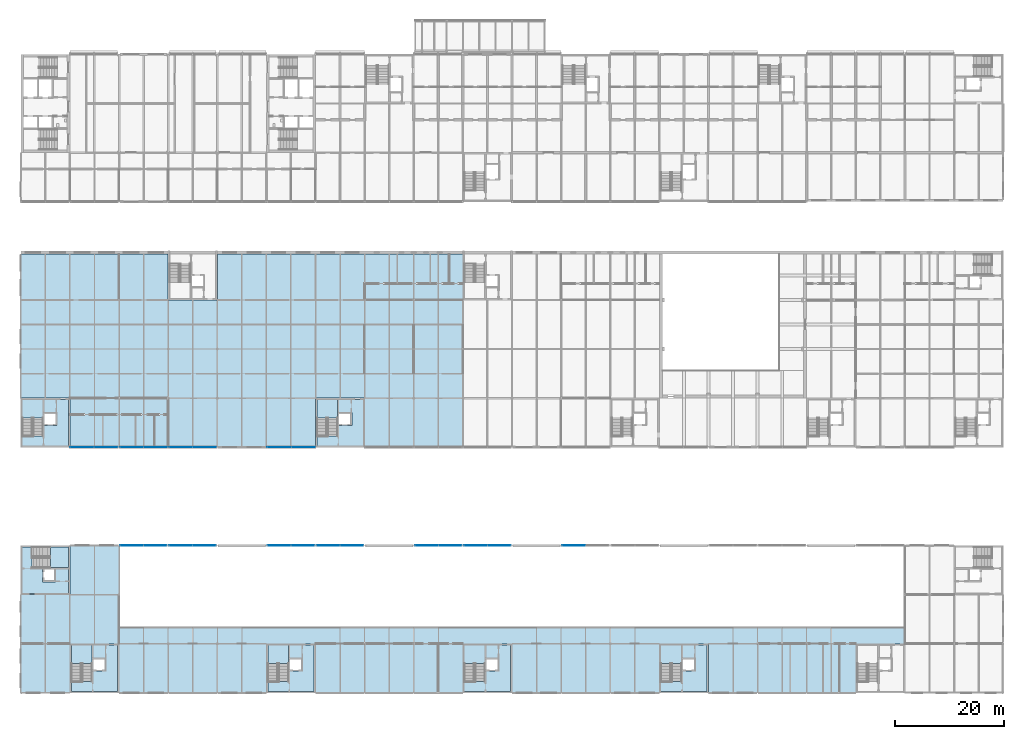
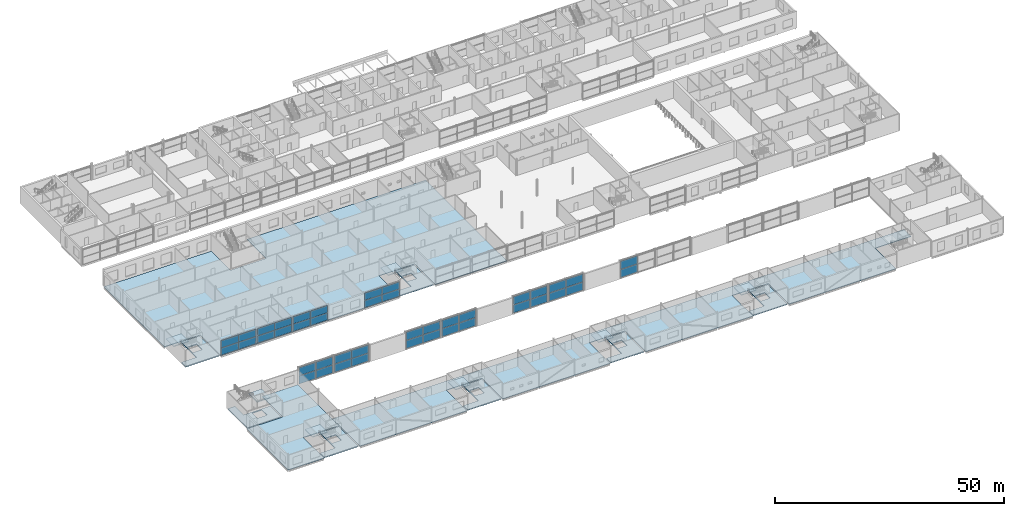
# One storey, part 60 of 97: 42 plates, 17 slabs, 18 elements without a shape of their own.
"""IFC4 building model written with IfcOpenShell, lengths in metres."""

from ifc_helpers import new_model, si_unit, direction, frame, origin, origin_2d, place, context, subcontext, project, spatial, polyline, rectangle, outline, extrude, material, layer, layer_set, type_object, element, aggregate, save


model = new_model("IFC4")

# Units and contexts
model_context = context("Model", 3, precision=1e-05, world=origin(), true_north=direction((0.0, 1.0)))
body_context = subcontext(model_context, "Body", "Model", "MODEL_VIEW")
ifc_project = project(units=[si_unit("LENGTHUNIT", "METRE"), si_unit("AREAUNIT", "SQUARE_METRE"), si_unit("VOLUMEUNIT", "CUBIC_METRE"), si_unit("PLANEANGLEUNIT", "RADIAN"), si_unit("MASSUNIT", "GRAM", prefix="KILO")], contexts=[model_context])

# Site, building, storey
site_placement = place(None, origin())
site = spatial("IfcSite", under=ifc_project, at=site_placement, CompositionType="ELEMENT")
building_placement = place(site_placement, origin())
building = spatial("IfcBuilding", under=site, at=building_placement, Name="Corbel Yard City Hall", CompositionType="ELEMENT")
storey_placement = place(building_placement, frame((0.0, 0.0, 6.0)))
storey = spatial("IfcBuildingStorey", under=building, at=storey_placement, Name="L01", CompositionType="ELEMENT", Elevation=6.0)

# Slabs
ifc_material_1 = material(Name="Concrete N40 (40 MPa)", Category="concrete")
ifc_layer_1 = layer(ifc_material_1, 0.25)
ifc_layer_set_1 = layer_set([ifc_layer_1], Name="Concrete N40 (40 MPa)")
slab_type_1 = type_object("IfcSlabType", Name="CF1", PredefinedType="FLOOR", material=ifc_layer_set_1)
slab_1_placement = place(storey_placement, frame((0.0, 0.0, -0.25)))
element("IfcSlab", 1, at=slab_1_placement, inside=storey, type_object=slab_type_1, Name="Core floor slab", PredefinedType="FLOOR", context=body_context, shape_type="SweptSolid", body=[
    extrude(outline(polyline([(17.75, 8.75), (13.050048828125, 8.75), (13.050048828125, 2.051025390625), (9.25, 2.051025390625), (9.25, 0.25), (17.75, 0.25), (17.75, 8.75)]), holes=[polyline([(15.64990234375, 4.0), (15.64990234375, 6.39990234375), (13.300048828125, 6.39990234375), (13.300048828125, 4.0), (15.64990234375, 4.0)])]), origin(), (0.0, 0.0, 1.0), 0.25),
])
slab_2_placement = place(storey_placement, frame((0.0, 0.0, -0.25)))
element("IfcSlab", 2, at=slab_2_placement, inside=storey, type_object=slab_type_1, Name="Core floor slab", PredefinedType="FLOOR", context=body_context, shape_type="SweptSolid", body=[
    extrude(outline(polyline([(53.75, 8.75), (49.050048828125, 8.75), (49.050048828125, 2.051025390625), (45.25, 2.051025390625), (45.25, 0.25), (53.75, 0.25), (53.75, 8.75)]), holes=[polyline([(51.64990234375, 4.0), (51.64990234375, 6.39990234375), (49.300048828125, 6.39990234375), (49.300048828125, 4.0), (51.64990234375, 4.0)])]), origin(), (0.0, 0.0, 1.0), 0.25),
])
slab_3_placement = place(storey_placement, frame((0.0, 0.0, -0.25)))
element("IfcSlab", 3, at=slab_3_placement, inside=storey, type_object=slab_type_1, Name="Core floor slab", PredefinedType="FLOOR", context=body_context, shape_type="SweptSolid", body=[
    extrude(outline(polyline([(89.75, 8.75), (85.050048828125, 8.75), (85.050048828125, 2.051025390625), (81.25, 2.051025390625), (81.25, 0.25), (89.75, 0.25), (89.75, 8.75)]), holes=[polyline([(87.64990234375, 4.0), (87.64990234375, 6.39990234375), (85.300048828125, 6.39990234375), (85.300048828125, 4.0), (87.64990234375, 4.0)])]), origin(), (0.0, 0.0, 1.0), 0.25),
])
slab_4_placement = place(storey_placement, frame((0.0, 0.0, -0.25)))
element("IfcSlab", 4, at=slab_4_placement, inside=storey, type_object=slab_type_1, Name="Core floor slab", PredefinedType="FLOOR", context=body_context, shape_type="SweptSolid", body=[
    extrude(outline(polyline([(125.75, 8.75), (121.050048828125, 8.75), (121.050048828125, 2.051025390625), (117.25, 2.051025390625), (117.25, 0.25), (125.75, 0.25), (125.75, 8.75)]), holes=[polyline([(123.64990234375, 4.0), (123.64990234375, 6.39990234375), (121.300048828125, 6.39990234375), (121.300048828125, 4.0), (123.64990234375, 4.0)])]), origin(), (0.0, 0.0, 1.0), 0.25),
])
slab_5_placement = place(storey_placement, frame((0.0, 0.0, -0.25)))
element("IfcSlab", 5, at=slab_5_placement, inside=storey, type_object=slab_type_1, Name="Core floor slab", PredefinedType="FLOOR", context=body_context, shape_type="SweptSolid", body=[
    extrude(outline(polyline([(8.75, 18.25), (8.75, 22.949951171875), (2.051025390625, 22.949951171875), (2.051025390625, 26.75), (0.25, 26.75), (0.25, 18.25), (8.75, 18.25)]), holes=[polyline([(6.39990234375, 20.35009765625), (6.39990234375, 22.699951171875), (4.0, 22.699951171875), (4.0, 20.35009765625), (6.39990234375, 20.35009765625)])]), origin(), (0.0, 0.0, 1.0), 0.25),
])
slab_6_placement = place(storey_placement, frame((0.0, 0.0, -0.25)))
element("IfcSlab", 6, at=slab_6_placement, inside=storey, type_object=slab_type_1, Name="Core floor slab", PredefinedType="FLOOR", context=body_context, shape_type="SweptSolid", body=[
    extrude(outline(polyline([(8.75, 53.75), (4.050048828125, 53.75), (4.050048828125, 47.051025390625), (0.25, 47.051025390625), (0.25, 45.25), (8.75, 45.25), (8.75, 53.75)]), holes=[polyline([(6.64990234375, 49.0), (6.64990234375, 51.39990234375), (4.300048828125, 51.39990234375), (4.300048828125, 49.0), (6.64990234375, 49.0)])]), origin(), (0.0, 0.0, 1.0), 0.25),
])
slab_7_placement = place(storey_placement, frame((0.0, 0.0, -0.25)))
element("IfcSlab", 7, at=slab_7_placement, inside=storey, type_object=slab_type_1, Name="Core floor slab", PredefinedType="FLOOR", context=body_context, shape_type="SweptSolid", body=[
    extrude(outline(polyline([(62.75, 53.75), (58.050048828125, 53.75), (58.050048828125, 47.051025390625), (54.25, 47.051025390625), (54.25, 45.25), (62.75, 45.25), (62.75, 53.75)]), holes=[polyline([(60.64990234375, 49.0), (60.64990234375, 51.39990234375), (58.300048828125, 51.39990234375), (58.300048828125, 49.0), (60.64990234375, 49.0)])]), origin(), (0.0, 0.0, 1.0), 0.25),
])
ifc_layer_2 = layer(ifc_material_1, 0.14990234375)
ifc_layer_set_2 = layer_set([ifc_layer_2], Name="Concrete N40 (40 MPa)")
slab_type_2 = type_object("IfcSlabType", Name="Floor slab 150", PredefinedType="FLOOR", material=ifc_layer_set_2)
slab_8_placement = place(storey_placement, frame((0.0, 0.0, -0.14990234375)))
element("IfcSlab", 8, at=slab_8_placement, inside=storey, type_object=slab_type_2, Name="Floor slab Station Link", PredefinedType="FLOOR", context=body_context, shape_type="SweptSolid", body=[
    extrude(outline(polyline([(9.0, 27.0), (9.0, 18.0), (0.0, 18.0), (0.0, 0.0), (9.0, 0.0), (9.0, 9.0), (18.0, 9.0), (18.0, 27.0), (9.0, 27.0)])), origin(), (0.0, 0.0, 1.0), 0.14990234375),
])
slab_9_placement = place(storey_placement, frame((0.0, 0.0, -0.14990234375)))
element("IfcSlab", 9, at=slab_9_placement, inside=storey, type_object=slab_type_2, Name="Floor slab Hall ribbon", PredefinedType="FLOOR", context=body_context, shape_type="SweptSolid", body=[
    extrude(outline(polyline([(126.0, 0.0), (153.0, 0.0), (153.0, 9.0), (162.0, 9.0), (162.0, 12.0), (18.0, 12.0), (18.0, 0.0), (45.0, 0.0), (45.0, 9.0), (54.0, 9.0), (54.0, 0.0), (81.0, 0.0), (81.0, 9.0), (90.0, 9.0), (90.0, 0.0), (117.0, 0.0), (117.0, 9.0), (126.0, 9.0), (126.0, 0.0)])), origin(), (0.0, 0.0, 1.0), 0.14990234375),
])
slab_10_placement = place(storey_placement, frame((0.0, 0.0, -0.14990234375)))
element("IfcSlab", 10, at=slab_10_placement, inside=storey, type_object=slab_type_2, Name="Floor slab Citizens' Service Centre block", PredefinedType="FLOOR", context=body_context, shape_type="SweptSolid", body=[
    extrude(outline(polyline([(81.0, 80.39990234375), (36.0, 80.39990234375), (36.0, 72.0), (27.0, 72.0), (27.0, 80.39990234375), (0.0, 80.39990234375), (0.0, 54.0), (9.0, 54.0), (9.0, 45.0), (54.0, 45.0), (54.0, 54.0), (63.0, 54.0), (63.0, 45.0), (81.0, 45.0), (81.0, 80.39990234375)])), origin(), (0.0, 0.0, 1.0), 0.14990234375),
])

# Stair, slab
stair_type = type_object("IfcStairType", Name="ST1", PredefinedType="HALF_TURN_STAIR", material=ifc_material_1)
stair_1_placement = place(storey_placement, origin())
stair_1 = element("IfcStair", 11, at=stair_1_placement, inside=storey, type_object=stair_type, Name="Exit stair L01", PredefinedType="HALF_TURN_STAIR")
ifc_layer_3 = layer(ifc_material_1, 0.199951171875)
ifc_layer_set_3 = layer_set([ifc_layer_3], Name="Concrete N40 (40 MPa)")
slab_type_3 = type_object("IfcSlabType", Name="LN1", PredefinedType="LANDING", material=ifc_layer_set_3)
slab_11_placement = place(storey_placement, frame((0.0, 0.0, 2.050048828125)))
slab_11 = element("IfcSlab", 12, at=slab_11_placement, type_object=slab_type_3, Name="PS1 landing 1", PredefinedType="LANDING", context=body_context, shape_type="SweptSolid", body=[
    extrude(outline(polyline([(9.25, 5.409912109375), (13.050048828125, 5.409912109375), (13.050048828125, 8.75), (9.25, 8.75), (9.25, 5.409912109375)])), origin(), (0.0, 0.0, 1.0), 0.199951171875),
])
aggregate(stair_1, [slab_11])

stair_2_placement = place(storey_placement, origin())
stair_2 = element("IfcStair", 13, at=stair_2_placement, inside=storey, type_object=stair_type, Name="Exit stair L01", PredefinedType="HALF_TURN_STAIR")
slab_12_placement = place(storey_placement, frame((0.0, 0.0, 2.050048828125)))
slab_12 = element("IfcSlab", 14, at=slab_12_placement, type_object=slab_type_3, Name="PS2 landing 1", PredefinedType="LANDING", context=body_context, shape_type="SweptSolid", body=[
    extrude(outline(polyline([(45.25, 5.409912109375), (49.050048828125, 5.409912109375), (49.050048828125, 8.75), (45.25, 8.75), (45.25, 5.409912109375)])), origin(), (0.0, 0.0, 1.0), 0.199951171875),
])
aggregate(stair_2, [slab_12])

stair_3_placement = place(storey_placement, origin())
stair_3 = element("IfcStair", 15, at=stair_3_placement, inside=storey, type_object=stair_type, Name="Exit stair L01", PredefinedType="HALF_TURN_STAIR")
slab_13_placement = place(storey_placement, frame((0.0, 0.0, 2.050048828125)))
slab_13 = element("IfcSlab", 16, at=slab_13_placement, type_object=slab_type_3, Name="PS3 landing 1", PredefinedType="LANDING", context=body_context, shape_type="SweptSolid", body=[
    extrude(outline(polyline([(81.25, 5.409912109375), (85.050048828125, 5.409912109375), (85.050048828125, 8.75), (81.25, 8.75), (81.25, 5.409912109375)])), origin(), (0.0, 0.0, 1.0), 0.199951171875),
])
aggregate(stair_3, [slab_13])

stair_4_placement = place(storey_placement, origin())
stair_4 = element("IfcStair", 17, at=stair_4_placement, inside=storey, type_object=stair_type, Name="Exit stair L01", PredefinedType="HALF_TURN_STAIR")
slab_14_placement = place(storey_placement, frame((0.0, 0.0, 2.050048828125)))
slab_14 = element("IfcSlab", 18, at=slab_14_placement, type_object=slab_type_3, Name="PS4 landing 1", PredefinedType="LANDING", context=body_context, shape_type="SweptSolid", body=[
    extrude(outline(polyline([(117.25, 5.409912109375), (121.050048828125, 5.409912109375), (121.050048828125, 8.75), (117.25, 8.75), (117.25, 5.409912109375)])), origin(), (0.0, 0.0, 1.0), 0.199951171875),
])
aggregate(stair_4, [slab_14])

stair_5_placement = place(storey_placement, origin())
stair_5 = element("IfcStair", 19, at=stair_5_placement, inside=storey, type_object=stair_type, Name="Exit stair L01", PredefinedType="HALF_TURN_STAIR")
slab_15_placement = place(storey_placement, frame((0.0, 0.0, 2.050048828125)))
slab_15 = element("IfcSlab", 20, at=slab_15_placement, type_object=slab_type_3, Name="PS6 landing 1", PredefinedType="LANDING", context=body_context, shape_type="SweptSolid", body=[
    extrude(outline(polyline([(5.409912109375, 22.949951171875), (8.75, 22.949951171875), (8.75, 26.75), (5.409912109375, 26.75), (5.409912109375, 22.949951171875)])), origin(), (0.0, 0.0, 1.0), 0.199951171875),
])
aggregate(stair_5, [slab_15])

stair_6_placement = place(storey_placement, origin())
stair_6 = element("IfcStair", 21, at=stair_6_placement, inside=storey, type_object=stair_type, Name="Exit stair L01", PredefinedType="HALF_TURN_STAIR")
slab_16_placement = place(storey_placement, frame((0.0, 0.0, 2.050048828125)))
slab_16 = element("IfcSlab", 22, at=slab_16_placement, type_object=slab_type_3, Name="PS8 landing 1", PredefinedType="LANDING", context=body_context, shape_type="SweptSolid", body=[
    extrude(outline(polyline([(0.25, 50.409912109375), (4.050048828125, 50.409912109375), (4.050048828125, 53.75), (0.25, 53.75), (0.25, 50.409912109375)])), origin(), (0.0, 0.0, 1.0), 0.199951171875),
])
aggregate(stair_6, [slab_16])

stair_7_placement = place(storey_placement, origin())
stair_7 = element("IfcStair", 23, at=stair_7_placement, inside=storey, type_object=stair_type, Name="Exit stair L01", PredefinedType="HALF_TURN_STAIR")
slab_17_placement = place(storey_placement, frame((0.0, 0.0, 2.050048828125)))
slab_17 = element("IfcSlab", 24, at=slab_17_placement, type_object=slab_type_3, Name="PS9 landing 1", PredefinedType="LANDING", context=body_context, shape_type="SweptSolid", body=[
    extrude(outline(polyline([(54.25, 50.409912109375), (58.050048828125, 50.409912109375), (58.050048828125, 53.75), (54.25, 53.75), (54.25, 50.409912109375)])), origin(), (0.0, 0.0, 1.0), 0.199951171875),
])
aggregate(stair_7, [slab_17])

# Curtain wall, plates
ifc_material_2 = material(Name="Aluminium extrusion", Category="aluminium")
ifc_layer_4 = layer(ifc_material_2, 0.199951171875)
ifc_layer_set_4 = layer_set([ifc_layer_4], Name="Aluminium extrusion")
curtain_wall_type_1 = type_object("IfcCurtainWallType", Name="CW1", PredefinedType="USERDEFINED", material=ifc_layer_set_4)
curtain_wall_1_placement = place(storey_placement, origin())
curtain_wall_1 = element("IfcCurtainWall", 25, at=curtain_wall_1_placement, inside=storey, type_object=curtain_wall_type_1, Name="Curtain wall CW1 L01", ObjectType="CURTAIN WALL", PredefinedType="USERDEFINED")
ifc_material_3 = material(Name="Laminated glass", Category="glass")
ifc_layer_5 = layer(ifc_material_3, 0.035888671875)
ifc_layer_set_5 = layer_set([ifc_layer_5], Name="Laminated glass")
plate_type_1 = type_object("IfcPlateType", Name="PN1", PredefinedType="CURTAIN_PANEL", material=ifc_layer_set_5)
plate_1_placement = place(storey_placement, frame((11.233642578125, 45.0, 0.06494140625), z_axis=(0.0, 0.0, 1.0), x_axis=(1.0, 0.0, 0.0)))
plate_1 = element("IfcPlate", 26, at=plate_1_placement, type_object=plate_type_1, Name="CW1 panel 1.1", PredefinedType="CURTAIN_PANEL", context=body_context, shape_type="SweptSolid", body=[
    extrude(rectangle(XDim=4.33740234375, YDim=0.035888671875, at=origin_2d()), origin(), (0.0, 0.0, 1.0), 1.89794921875),
])
plate_2_placement = place(storey_placement, frame((11.233642578125, 45.0, 2.028076171875), z_axis=(0.0, 0.0, 1.0), x_axis=(1.0, 0.0, 0.0)))
plate_2 = element("IfcPlate", 27, at=plate_2_placement, type_object=plate_type_1, Name="CW1 panel 1.2", PredefinedType="CURTAIN_PANEL", context=body_context, shape_type="SweptSolid", body=[
    extrude(rectangle(XDim=4.33740234375, YDim=0.035888671875, at=origin_2d()), origin(), (0.0, 0.0, 1.0), 1.89794921875),
])
plate_3_placement = place(storey_placement, frame((15.63623046875, 45.0, 0.06494140625), z_axis=(0.0, 0.0, 1.0), x_axis=(1.0, 0.0, 0.0)))
plate_3 = element("IfcPlate", 28, at=plate_3_placement, type_object=plate_type_1, Name="CW1 panel 2.1", PredefinedType="CURTAIN_PANEL", context=body_context, shape_type="SweptSolid", body=[
    extrude(rectangle(XDim=4.33740234375, YDim=0.035888671875, at=origin_2d()), origin(), (0.0, 0.0, 1.0), 1.89794921875),
])
plate_4_placement = place(storey_placement, frame((15.63623046875, 45.0, 2.028076171875), z_axis=(0.0, 0.0, 1.0), x_axis=(1.0, 0.0, 0.0)))
plate_4 = element("IfcPlate", 29, at=plate_4_placement, type_object=plate_type_1, Name="CW1 panel 2.2", PredefinedType="CURTAIN_PANEL", context=body_context, shape_type="SweptSolid", body=[
    extrude(rectangle(XDim=4.33740234375, YDim=0.035888671875, at=origin_2d()), origin(), (0.0, 0.0, 1.0), 1.89794921875),
])
aggregate(curtain_wall_1, [plate_1, plate_2, plate_3, plate_4])

curtain_wall_2_placement = place(storey_placement, origin())
curtain_wall_2 = element("IfcCurtainWall", 30, at=curtain_wall_2_placement, inside=storey, type_object=curtain_wall_type_1, Name="Curtain wall CW1 L01", ObjectType="CURTAIN WALL", PredefinedType="USERDEFINED")
plate_5_placement = place(storey_placement, frame((20.331298828125, 45.0, 0.06494140625), z_axis=(0.0, 0.0, 1.0), x_axis=(1.0, 0.0, 0.0)))
plate_5 = element("IfcPlate", 31, at=plate_5_placement, type_object=plate_type_1, Name="CW1 panel 1.1", PredefinedType="CURTAIN_PANEL", context=body_context, shape_type="SweptSolid", body=[
    extrude(rectangle(XDim=4.2724609375, YDim=0.035888671875, at=origin_2d()), origin(), (0.0, 0.0, 1.0), 1.89794921875),
])
plate_6_placement = place(storey_placement, frame((20.331298828125, 45.0, 2.028076171875), z_axis=(0.0, 0.0, 1.0), x_axis=(1.0, 0.0, 0.0)))
plate_6 = element("IfcPlate", 32, at=plate_6_placement, type_object=plate_type_1, Name="CW1 panel 1.2", PredefinedType="CURTAIN_PANEL", context=body_context, shape_type="SweptSolid", body=[
    extrude(rectangle(XDim=4.2724609375, YDim=0.035888671875, at=origin_2d()), origin(), (0.0, 0.0, 1.0), 1.89794921875),
])
plate_7_placement = place(storey_placement, frame((24.668701171875, 45.0, 0.06494140625), z_axis=(0.0, 0.0, 1.0), x_axis=(1.0, 0.0, 0.0)))
plate_7 = element("IfcPlate", 33, at=plate_7_placement, type_object=plate_type_1, Name="CW1 panel 2.1", PredefinedType="CURTAIN_PANEL", context=body_context, shape_type="SweptSolid", body=[
    extrude(rectangle(XDim=4.2724609375, YDim=0.035888671875, at=origin_2d()), origin(), (0.0, 0.0, 1.0), 1.89794921875),
])
plate_8_placement = place(storey_placement, frame((24.668701171875, 45.0, 2.028076171875), z_axis=(0.0, 0.0, 1.0), x_axis=(1.0, 0.0, 0.0)))
plate_8 = element("IfcPlate", 34, at=plate_8_placement, type_object=plate_type_1, Name="CW1 panel 2.2", PredefinedType="CURTAIN_PANEL", context=body_context, shape_type="SweptSolid", body=[
    extrude(rectangle(XDim=4.2724609375, YDim=0.035888671875, at=origin_2d()), origin(), (0.0, 0.0, 1.0), 1.89794921875),
])
aggregate(curtain_wall_2, [plate_5, plate_6, plate_7, plate_8])

curtain_wall_3_placement = place(storey_placement, origin())
curtain_wall_3 = element("IfcCurtainWall", 35, at=curtain_wall_3_placement, inside=storey, type_object=curtain_wall_type_1, Name="Curtain wall CW1 L01", ObjectType="CURTAIN WALL", PredefinedType="USERDEFINED")
plate_9_placement = place(storey_placement, frame((29.331298828125, 45.0, 0.06494140625), z_axis=(0.0, 0.0, 1.0), x_axis=(1.0, 0.0, 0.0)))
plate_9 = element("IfcPlate", 36, at=plate_9_placement, type_object=plate_type_1, Name="CW1 panel 1.1", PredefinedType="CURTAIN_PANEL", context=body_context, shape_type="SweptSolid", body=[
    extrude(rectangle(XDim=4.2724609375, YDim=0.035888671875, at=origin_2d()), origin(), (0.0, 0.0, 1.0), 1.89794921875),
])
plate_10_placement = place(storey_placement, frame((29.331298828125, 45.0, 2.028076171875), z_axis=(0.0, 0.0, 1.0), x_axis=(1.0, 0.0, 0.0)))
plate_10 = element("IfcPlate", 37, at=plate_10_placement, type_object=plate_type_1, Name="CW1 panel 1.2", PredefinedType="CURTAIN_PANEL", context=body_context, shape_type="SweptSolid", body=[
    extrude(rectangle(XDim=4.2724609375, YDim=0.035888671875, at=origin_2d()), origin(), (0.0, 0.0, 1.0), 1.89794921875),
])
plate_11_placement = place(storey_placement, frame((33.668701171875, 45.0, 0.06494140625), z_axis=(0.0, 0.0, 1.0), x_axis=(1.0, 0.0, 0.0)))
plate_11 = element("IfcPlate", 38, at=plate_11_placement, type_object=plate_type_1, Name="CW1 panel 2.1", PredefinedType="CURTAIN_PANEL", context=body_context, shape_type="SweptSolid", body=[
    extrude(rectangle(XDim=4.2724609375, YDim=0.035888671875, at=origin_2d()), origin(), (0.0, 0.0, 1.0), 1.89794921875),
])
plate_12_placement = place(storey_placement, frame((33.668701171875, 45.0, 2.028076171875), z_axis=(0.0, 0.0, 1.0), x_axis=(1.0, 0.0, 0.0)))
plate_12 = element("IfcPlate", 39, at=plate_12_placement, type_object=plate_type_1, Name="CW1 panel 2.2", PredefinedType="CURTAIN_PANEL", context=body_context, shape_type="SweptSolid", body=[
    extrude(rectangle(XDim=4.2724609375, YDim=0.035888671875, at=origin_2d()), origin(), (0.0, 0.0, 1.0), 1.89794921875),
])
aggregate(curtain_wall_3, [plate_9, plate_10, plate_11, plate_12])

curtain_wall_4_placement = place(storey_placement, origin())
curtain_wall_4 = element("IfcCurtainWall", 40, at=curtain_wall_4_placement, inside=storey, type_object=curtain_wall_type_1, Name="Curtain wall CW1 L01", ObjectType="CURTAIN WALL", PredefinedType="USERDEFINED")
plate_13_placement = place(storey_placement, frame((47.36376953125, 45.0, 0.06494140625), z_axis=(0.0, 0.0, 1.0), x_axis=(1.0, 0.0, 0.0)))
plate_13 = element("IfcPlate", 41, at=plate_13_placement, type_object=plate_type_1, Name="CW1 panel 1.1", PredefinedType="CURTAIN_PANEL", context=body_context, shape_type="SweptSolid", body=[
    extrude(rectangle(XDim=4.33740234375, YDim=0.035888671875, at=origin_2d()), origin(), (0.0, 0.0, 1.0), 1.89794921875),
])
plate_14_placement = place(storey_placement, frame((47.36376953125, 45.0, 2.028076171875), z_axis=(0.0, 0.0, 1.0), x_axis=(1.0, 0.0, 0.0)))
plate_14 = element("IfcPlate", 42, at=plate_14_placement, type_object=plate_type_1, Name="CW1 panel 1.2", PredefinedType="CURTAIN_PANEL", context=body_context, shape_type="SweptSolid", body=[
    extrude(rectangle(XDim=4.33740234375, YDim=0.035888671875, at=origin_2d()), origin(), (0.0, 0.0, 1.0), 1.89794921875),
])
plate_15_placement = place(storey_placement, frame((51.766357421875, 45.0, 0.06494140625), z_axis=(0.0, 0.0, 1.0), x_axis=(1.0, 0.0, 0.0)))
plate_15 = element("IfcPlate", 43, at=plate_15_placement, type_object=plate_type_1, Name="CW1 panel 2.1", PredefinedType="CURTAIN_PANEL", context=body_context, shape_type="SweptSolid", body=[
    extrude(rectangle(XDim=4.33740234375, YDim=0.035888671875, at=origin_2d()), origin(), (0.0, 0.0, 1.0), 1.89794921875),
])
plate_16_placement = place(storey_placement, frame((51.766357421875, 45.0, 2.028076171875), z_axis=(0.0, 0.0, 1.0), x_axis=(1.0, 0.0, 0.0)))
plate_16 = element("IfcPlate", 44, at=plate_16_placement, type_object=plate_type_1, Name="CW1 panel 2.2", PredefinedType="CURTAIN_PANEL", context=body_context, shape_type="SweptSolid", body=[
    extrude(rectangle(XDim=4.33740234375, YDim=0.035888671875, at=origin_2d()), origin(), (0.0, 0.0, 1.0), 1.89794921875),
])
aggregate(curtain_wall_4, [plate_13, plate_14, plate_15, plate_16])

ifc_layer_6 = layer(ifc_material_2, 0.300048828125)
ifc_layer_set_6 = layer_set([ifc_layer_6], Name="Aluminium extrusion")
curtain_wall_type_2 = type_object("IfcCurtainWallType", Name="CW7", PredefinedType="USERDEFINED", material=ifc_layer_set_6)
curtain_wall_5_placement = place(storey_placement, origin())
curtain_wall_5 = element("IfcCurtainWall", 45, at=curtain_wall_5_placement, inside=storey, type_object=curtain_wall_type_2, Name="Curtain wall CW7 L01", ObjectType="CURTAIN WALL", PredefinedType="USERDEFINED")
ifc_material_4 = material(Name="Laminated toughened glass, large format", Category="glass")
ifc_layer_7 = layer(ifc_material_4, 0.048095703125)
ifc_layer_set_7 = layer_set([ifc_layer_7], Name="Laminated toughened glass, large format")
plate_type_2 = type_object("IfcPlateType", Name="PN8", PredefinedType="CURTAIN_PANEL", material=ifc_layer_set_7)
plate_17_placement = place(storey_placement, frame((20.3486328125, 27.0, 0.080078125), z_axis=(0.0, 0.0, 1.0), x_axis=(1.0, 0.0, 0.0)))
plate_17 = element("IfcPlate", 46, at=plate_17_placement, type_object=plate_type_2, Name="CW7 panel 1.1", PredefinedType="CURTAIN_PANEL", context=body_context, shape_type="SweptSolid", body=[
    extrude(rectangle(XDim=4.222412109375, YDim=0.048095703125, at=origin_2d()), origin(), (0.0, 0.0, 1.0), 2.1298828125),
])
plate_18_placement = place(storey_placement, frame((20.3486328125, 27.0, 2.2900390625), z_axis=(0.0, 0.0, 1.0), x_axis=(1.0, 0.0, 0.0)))
plate_18 = element("IfcPlate", 47, at=plate_18_placement, type_object=plate_type_2, Name="CW7 panel 1.2", PredefinedType="CURTAIN_PANEL", context=body_context, shape_type="SweptSolid", body=[
    extrude(rectangle(XDim=4.222412109375, YDim=0.048095703125, at=origin_2d()), origin(), (0.0, 0.0, 1.0), 2.1298828125),
])
plate_19_placement = place(storey_placement, frame((24.6513671875, 27.0, 0.080078125), z_axis=(0.0, 0.0, 1.0), x_axis=(1.0, 0.0, 0.0)))
plate_19 = element("IfcPlate", 48, at=plate_19_placement, type_object=plate_type_2, Name="CW7 panel 2.1", PredefinedType="CURTAIN_PANEL", context=body_context, shape_type="SweptSolid", body=[
    extrude(rectangle(XDim=4.222412109375, YDim=0.048095703125, at=origin_2d()), origin(), (0.0, 0.0, 1.0), 2.1298828125),
])
plate_20_placement = place(storey_placement, frame((24.6513671875, 27.0, 2.2900390625), z_axis=(0.0, 0.0, 1.0), x_axis=(1.0, 0.0, 0.0)))
plate_20 = element("IfcPlate", 49, at=plate_20_placement, type_object=plate_type_2, Name="CW7 panel 2.2", PredefinedType="CURTAIN_PANEL", context=body_context, shape_type="SweptSolid", body=[
    extrude(rectangle(XDim=4.222412109375, YDim=0.048095703125, at=origin_2d()), origin(), (0.0, 0.0, 1.0), 2.1298828125),
])
aggregate(curtain_wall_5, [plate_17, plate_18, plate_19, plate_20])

curtain_wall_6_placement = place(storey_placement, origin())
curtain_wall_6 = element("IfcCurtainWall", 50, at=curtain_wall_6_placement, inside=storey, type_object=curtain_wall_type_2, Name="Curtain wall CW7 L01", ObjectType="CURTAIN WALL", PredefinedType="USERDEFINED")
plate_21_placement = place(storey_placement, frame((29.3486328125, 27.0, 0.080078125), z_axis=(0.0, 0.0, 1.0), x_axis=(1.0, 0.0, 0.0)))
plate_21 = element("IfcPlate", 51, at=plate_21_placement, type_object=plate_type_2, Name="CW7 panel 1.1", PredefinedType="CURTAIN_PANEL", context=body_context, shape_type="SweptSolid", body=[
    extrude(rectangle(XDim=4.222412109375, YDim=0.048095703125, at=origin_2d()), origin(), (0.0, 0.0, 1.0), 2.1298828125),
])
plate_22_placement = place(storey_placement, frame((29.3486328125, 27.0, 2.2900390625), z_axis=(0.0, 0.0, 1.0), x_axis=(1.0, 0.0, 0.0)))
plate_22 = element("IfcPlate", 52, at=plate_22_placement, type_object=plate_type_2, Name="CW7 panel 1.2", PredefinedType="CURTAIN_PANEL", context=body_context, shape_type="SweptSolid", body=[
    extrude(rectangle(XDim=4.222412109375, YDim=0.048095703125, at=origin_2d()), origin(), (0.0, 0.0, 1.0), 2.1298828125),
])
plate_23_placement = place(storey_placement, frame((33.6513671875, 27.0, 0.080078125), z_axis=(0.0, 0.0, 1.0), x_axis=(1.0, 0.0, 0.0)))
plate_23 = element("IfcPlate", 53, at=plate_23_placement, type_object=plate_type_2, Name="CW7 panel 2.1", PredefinedType="CURTAIN_PANEL", context=body_context, shape_type="SweptSolid", body=[
    extrude(rectangle(XDim=4.222412109375, YDim=0.048095703125, at=origin_2d()), origin(), (0.0, 0.0, 1.0), 2.1298828125),
])
plate_24_placement = place(storey_placement, frame((33.6513671875, 27.0, 2.2900390625), z_axis=(0.0, 0.0, 1.0), x_axis=(1.0, 0.0, 0.0)))
plate_24 = element("IfcPlate", 54, at=plate_24_placement, type_object=plate_type_2, Name="CW7 panel 2.2", PredefinedType="CURTAIN_PANEL", context=body_context, shape_type="SweptSolid", body=[
    extrude(rectangle(XDim=4.222412109375, YDim=0.048095703125, at=origin_2d()), origin(), (0.0, 0.0, 1.0), 2.1298828125),
])
aggregate(curtain_wall_6, [plate_21, plate_22, plate_23, plate_24])

curtain_wall_7_placement = place(storey_placement, origin())
curtain_wall_7 = element("IfcCurtainWall", 55, at=curtain_wall_7_placement, inside=storey, type_object=curtain_wall_type_2, Name="Curtain wall CW7 L01", ObjectType="CURTAIN WALL", PredefinedType="USERDEFINED")
plate_25_placement = place(storey_placement, frame((47.3486328125, 27.0, 0.080078125), z_axis=(0.0, 0.0, 1.0), x_axis=(1.0, 0.0, 0.0)))
plate_25 = element("IfcPlate", 56, at=plate_25_placement, type_object=plate_type_2, Name="CW7 panel 1.1", PredefinedType="CURTAIN_PANEL", context=body_context, shape_type="SweptSolid", body=[
    extrude(rectangle(XDim=4.222412109375, YDim=0.048095703125, at=origin_2d()), origin(), (0.0, 0.0, 1.0), 2.1298828125),
])
plate_26_placement = place(storey_placement, frame((47.3486328125, 27.0, 2.2900390625), z_axis=(0.0, 0.0, 1.0), x_axis=(1.0, 0.0, 0.0)))
plate_26 = element("IfcPlate", 57, at=plate_26_placement, type_object=plate_type_2, Name="CW7 panel 1.2", PredefinedType="CURTAIN_PANEL", context=body_context, shape_type="SweptSolid", body=[
    extrude(rectangle(XDim=4.222412109375, YDim=0.048095703125, at=origin_2d()), origin(), (0.0, 0.0, 1.0), 2.1298828125),
])
plate_27_placement = place(storey_placement, frame((51.6513671875, 27.0, 0.080078125), z_axis=(0.0, 0.0, 1.0), x_axis=(1.0, 0.0, 0.0)))
plate_27 = element("IfcPlate", 58, at=plate_27_placement, type_object=plate_type_2, Name="CW7 panel 2.1", PredefinedType="CURTAIN_PANEL", context=body_context, shape_type="SweptSolid", body=[
    extrude(rectangle(XDim=4.222412109375, YDim=0.048095703125, at=origin_2d()), origin(), (0.0, 0.0, 1.0), 2.1298828125),
])
plate_28_placement = place(storey_placement, frame((51.6513671875, 27.0, 2.2900390625), z_axis=(0.0, 0.0, 1.0), x_axis=(1.0, 0.0, 0.0)))
plate_28 = element("IfcPlate", 59, at=plate_28_placement, type_object=plate_type_2, Name="CW7 panel 2.2", PredefinedType="CURTAIN_PANEL", context=body_context, shape_type="SweptSolid", body=[
    extrude(rectangle(XDim=4.222412109375, YDim=0.048095703125, at=origin_2d()), origin(), (0.0, 0.0, 1.0), 2.1298828125),
])
aggregate(curtain_wall_7, [plate_25, plate_26, plate_27, plate_28])

curtain_wall_8_placement = place(storey_placement, origin())
curtain_wall_8 = element("IfcCurtainWall", 60, at=curtain_wall_8_placement, inside=storey, type_object=curtain_wall_type_2, Name="Curtain wall CW7 L01", ObjectType="CURTAIN WALL", PredefinedType="USERDEFINED")
plate_29_placement = place(storey_placement, frame((56.3486328125, 27.0, 0.080078125), z_axis=(0.0, 0.0, 1.0), x_axis=(1.0, 0.0, 0.0)))
plate_29 = element("IfcPlate", 61, at=plate_29_placement, type_object=plate_type_2, Name="CW7 panel 1.1", PredefinedType="CURTAIN_PANEL", context=body_context, shape_type="SweptSolid", body=[
    extrude(rectangle(XDim=4.222412109375, YDim=0.048095703125, at=origin_2d()), origin(), (0.0, 0.0, 1.0), 2.1298828125),
])
plate_30_placement = place(storey_placement, frame((56.3486328125, 27.0, 2.2900390625), z_axis=(0.0, 0.0, 1.0), x_axis=(1.0, 0.0, 0.0)))
plate_30 = element("IfcPlate", 62, at=plate_30_placement, type_object=plate_type_2, Name="CW7 panel 1.2", PredefinedType="CURTAIN_PANEL", context=body_context, shape_type="SweptSolid", body=[
    extrude(rectangle(XDim=4.222412109375, YDim=0.048095703125, at=origin_2d()), origin(), (0.0, 0.0, 1.0), 2.1298828125),
])
plate_31_placement = place(storey_placement, frame((60.6513671875, 27.0, 0.080078125), z_axis=(0.0, 0.0, 1.0), x_axis=(1.0, 0.0, 0.0)))
plate_31 = element("IfcPlate", 63, at=plate_31_placement, type_object=plate_type_2, Name="CW7 panel 2.1", PredefinedType="CURTAIN_PANEL", context=body_context, shape_type="SweptSolid", body=[
    extrude(rectangle(XDim=4.222412109375, YDim=0.048095703125, at=origin_2d()), origin(), (0.0, 0.0, 1.0), 2.1298828125),
])
plate_32_placement = place(storey_placement, frame((60.6513671875, 27.0, 2.2900390625), z_axis=(0.0, 0.0, 1.0), x_axis=(1.0, 0.0, 0.0)))
plate_32 = element("IfcPlate", 64, at=plate_32_placement, type_object=plate_type_2, Name="CW7 panel 2.2", PredefinedType="CURTAIN_PANEL", context=body_context, shape_type="SweptSolid", body=[
    extrude(rectangle(XDim=4.222412109375, YDim=0.048095703125, at=origin_2d()), origin(), (0.0, 0.0, 1.0), 2.1298828125),
])
aggregate(curtain_wall_8, [plate_29, plate_30, plate_31, plate_32])

curtain_wall_9_placement = place(storey_placement, origin())
curtain_wall_9 = element("IfcCurtainWall", 65, at=curtain_wall_9_placement, inside=storey, type_object=curtain_wall_type_2, Name="Curtain wall CW7 L01", ObjectType="CURTAIN WALL", PredefinedType="USERDEFINED")
plate_33_placement = place(storey_placement, frame((74.3486328125, 27.0, 0.080078125), z_axis=(0.0, 0.0, 1.0), x_axis=(1.0, 0.0, 0.0)))
plate_33 = element("IfcPlate", 66, at=plate_33_placement, type_object=plate_type_2, Name="CW7 panel 1.1", PredefinedType="CURTAIN_PANEL", context=body_context, shape_type="SweptSolid", body=[
    extrude(rectangle(XDim=4.222412109375, YDim=0.048095703125, at=origin_2d()), origin(), (0.0, 0.0, 1.0), 2.1298828125),
])
plate_34_placement = place(storey_placement, frame((74.3486328125, 27.0, 2.2900390625), z_axis=(0.0, 0.0, 1.0), x_axis=(1.0, 0.0, 0.0)))
plate_34 = element("IfcPlate", 67, at=plate_34_placement, type_object=plate_type_2, Name="CW7 panel 1.2", PredefinedType="CURTAIN_PANEL", context=body_context, shape_type="SweptSolid", body=[
    extrude(rectangle(XDim=4.222412109375, YDim=0.048095703125, at=origin_2d()), origin(), (0.0, 0.0, 1.0), 2.1298828125),
])
plate_35_placement = place(storey_placement, frame((78.6513671875, 27.0, 0.080078125), z_axis=(0.0, 0.0, 1.0), x_axis=(1.0, 0.0, 0.0)))
plate_35 = element("IfcPlate", 68, at=plate_35_placement, type_object=plate_type_2, Name="CW7 panel 2.1", PredefinedType="CURTAIN_PANEL", context=body_context, shape_type="SweptSolid", body=[
    extrude(rectangle(XDim=4.222412109375, YDim=0.048095703125, at=origin_2d()), origin(), (0.0, 0.0, 1.0), 2.1298828125),
])
plate_36_placement = place(storey_placement, frame((78.6513671875, 27.0, 2.2900390625), z_axis=(0.0, 0.0, 1.0), x_axis=(1.0, 0.0, 0.0)))
plate_36 = element("IfcPlate", 69, at=plate_36_placement, type_object=plate_type_2, Name="CW7 panel 2.2", PredefinedType="CURTAIN_PANEL", context=body_context, shape_type="SweptSolid", body=[
    extrude(rectangle(XDim=4.222412109375, YDim=0.048095703125, at=origin_2d()), origin(), (0.0, 0.0, 1.0), 2.1298828125),
])
aggregate(curtain_wall_9, [plate_33, plate_34, plate_35, plate_36])

curtain_wall_10_placement = place(storey_placement, origin())
curtain_wall_10 = element("IfcCurtainWall", 70, at=curtain_wall_10_placement, inside=storey, type_object=curtain_wall_type_2, Name="Curtain wall CW7 L01", ObjectType="CURTAIN WALL", PredefinedType="USERDEFINED")
plate_37_placement = place(storey_placement, frame((83.3486328125, 27.0, 0.080078125), z_axis=(0.0, 0.0, 1.0), x_axis=(1.0, 0.0, 0.0)))
plate_37 = element("IfcPlate", 71, at=plate_37_placement, type_object=plate_type_2, Name="CW7 panel 1.1", PredefinedType="CURTAIN_PANEL", context=body_context, shape_type="SweptSolid", body=[
    extrude(rectangle(XDim=4.222412109375, YDim=0.048095703125, at=origin_2d()), origin(), (0.0, 0.0, 1.0), 2.1298828125),
])
plate_38_placement = place(storey_placement, frame((83.3486328125, 27.0, 2.2900390625), z_axis=(0.0, 0.0, 1.0), x_axis=(1.0, 0.0, 0.0)))
plate_38 = element("IfcPlate", 72, at=plate_38_placement, type_object=plate_type_2, Name="CW7 panel 1.2", PredefinedType="CURTAIN_PANEL", context=body_context, shape_type="SweptSolid", body=[
    extrude(rectangle(XDim=4.222412109375, YDim=0.048095703125, at=origin_2d()), origin(), (0.0, 0.0, 1.0), 2.1298828125),
])
plate_39_placement = place(storey_placement, frame((87.6513671875, 27.0, 0.080078125), z_axis=(0.0, 0.0, 1.0), x_axis=(1.0, 0.0, 0.0)))
plate_39 = element("IfcPlate", 73, at=plate_39_placement, type_object=plate_type_2, Name="CW7 panel 2.1", PredefinedType="CURTAIN_PANEL", context=body_context, shape_type="SweptSolid", body=[
    extrude(rectangle(XDim=4.222412109375, YDim=0.048095703125, at=origin_2d()), origin(), (0.0, 0.0, 1.0), 2.1298828125),
])
plate_40_placement = place(storey_placement, frame((87.6513671875, 27.0, 2.2900390625), z_axis=(0.0, 0.0, 1.0), x_axis=(1.0, 0.0, 0.0)))
plate_40 = element("IfcPlate", 74, at=plate_40_placement, type_object=plate_type_2, Name="CW7 panel 2.2", PredefinedType="CURTAIN_PANEL", context=body_context, shape_type="SweptSolid", body=[
    extrude(rectangle(XDim=4.222412109375, YDim=0.048095703125, at=origin_2d()), origin(), (0.0, 0.0, 1.0), 2.1298828125),
])
aggregate(curtain_wall_10, [plate_37, plate_38, plate_39, plate_40])

curtain_wall_11_placement = place(storey_placement, origin())
curtain_wall_11 = element("IfcCurtainWall", 75, at=curtain_wall_11_placement, inside=storey, type_object=curtain_wall_type_2, Name="Curtain wall CW7 L01", ObjectType="CURTAIN WALL", PredefinedType="USERDEFINED")
plate_41_placement = place(storey_placement, frame((101.3486328125, 27.0, 0.080078125), z_axis=(0.0, 0.0, 1.0), x_axis=(1.0, 0.0, 0.0)))
plate_41 = element("IfcPlate", 76, at=plate_41_placement, type_object=plate_type_2, Name="CW7 panel 1.1", PredefinedType="CURTAIN_PANEL", context=body_context, shape_type="SweptSolid", body=[
    extrude(rectangle(XDim=4.222412109375, YDim=0.048095703125, at=origin_2d()), origin(), (0.0, 0.0, 1.0), 2.1298828125),
])
plate_42_placement = place(storey_placement, frame((101.3486328125, 27.0, 2.2900390625), z_axis=(0.0, 0.0, 1.0), x_axis=(1.0, 0.0, 0.0)))
plate_42 = element("IfcPlate", 77, at=plate_42_placement, type_object=plate_type_2, Name="CW7 panel 1.2", PredefinedType="CURTAIN_PANEL", context=body_context, shape_type="SweptSolid", body=[
    extrude(rectangle(XDim=4.222412109375, YDim=0.048095703125, at=origin_2d()), origin(), (0.0, 0.0, 1.0), 2.1298828125),
])
aggregate(curtain_wall_11, [plate_41, plate_42])

save(model, "model.ifc")
